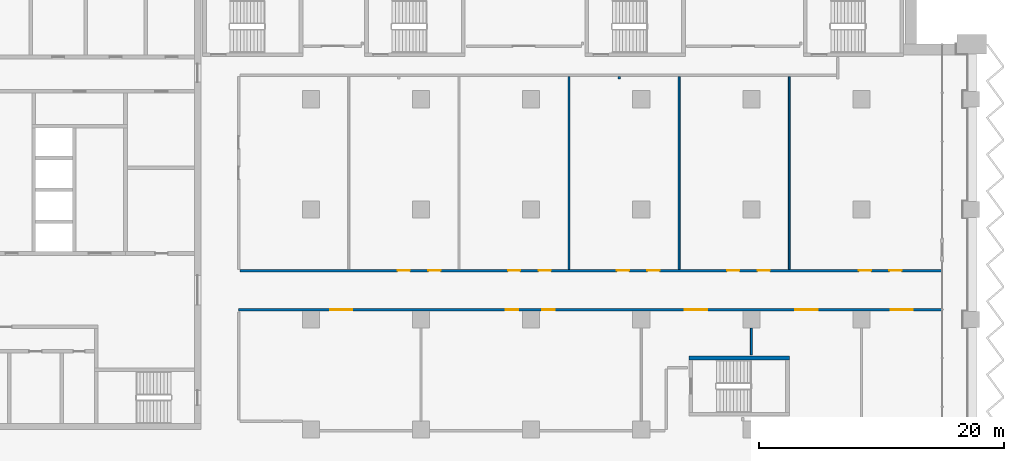
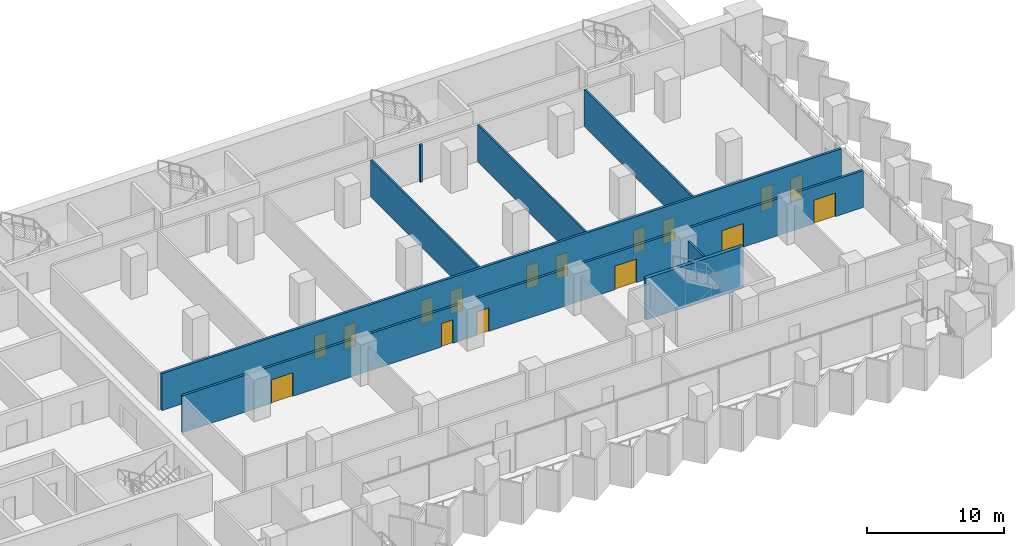
# One storey, part 18 of 29: 16 doors, 8 walls, 16 openings.
"""IFC4 building model written with IfcOpenShell, lengths in metres."""

from ifc_helpers import new_model, si_unit, direction, frame, frame_2d, origin, place, context, subcontext, project, spatial, rectangle, extrude, material, layer, layer_set, type_object, element, fill, save


model = new_model("IFC4")

# Units and contexts
model_context = context("Model", 3, precision=1e-05, world=origin(), true_north=direction((0.0, 1.0)))
body_context = subcontext(model_context, "Body", "Model", "MODEL_VIEW")
ifc_project = project(units=[si_unit("LENGTHUNIT", "METRE"), si_unit("AREAUNIT", "SQUARE_METRE"), si_unit("VOLUMEUNIT", "CUBIC_METRE"), si_unit("PLANEANGLEUNIT", "RADIAN"), si_unit("MASSUNIT", "GRAM", prefix="KILO")], contexts=[model_context])

# Site, building, storey
site_placement = place(None, origin())
site = spatial("IfcSite", under=ifc_project, at=site_placement, CompositionType="ELEMENT")
building_placement = place(site_placement, origin())
building = spatial("IfcBuilding", under=site, at=building_placement, Name="Hunhe Ridgeline Campus", CompositionType="ELEMENT")
storey_placement = place(building_placement, frame((0.0, 0.0, 54.300048828125)))
storey = spatial("IfcBuildingStorey", under=building, at=storey_placement, Name="L12", CompositionType="ELEMENT", Elevation=54.300048828125)

# Wall, openings, doors
ifc_material_1 = material(Name="Gypsum board partition")
ifc_layer_1 = layer(ifc_material_1, 0.199951171875)
ifc_layer_set_1 = layer_set([ifc_layer_1], Name="Corridor partition 200 gypsum board on steel studs")
wall_type_1 = type_object("IfcWallType", Name="Corridor partition 200 gypsum board on steel studs", PredefinedType="PARTITIONING", material=ifc_layer_set_1)
wall_1_placement = place(storey_placement, frame((96.544921875, 72.800048828125, 0.0), z_axis=(0.0, 0.0, 1.0), x_axis=(-1.0, 0.0, 0.0)))
wall_1 = element("IfcWall", 1, at=wall_1_placement, inside=storey, type_object=wall_type_1, Name="F-L12-wall-049", PredefinedType="PARTITIONING", context=body_context, shape_type="SweptSolid", body=[
    extrude(rectangle(XDim=57.44482421875, YDim=0.199951171875, at=frame_2d((28.722412109375, 0.0))), origin(), (0.0, 0.0, 1.0), 3.300048828125),
])
opening_1_placement = place(wall_1_placement, frame((48.14501953125, 0.0, 0.0)))
opening_1 = element("IfcOpeningElement", 2, at=opening_1_placement, cuts=wall_1, Name="Opening RD2-029", PredefinedType="OPENING", context=body_context, shape_type="SweptSolid", body=[
    extrude(rectangle(XDim=1.800048828125, YDim=2.10009765625, at=frame_2d((0.89990234375, 1.050048828125))), frame((0.0, 0.10009765625, 0.0), z_axis=(0.0, -1.0, 0.0), x_axis=(1.0, 0.0, 0.0)), (0.0, 0.0, 1.0), 0.199951171875),
])
opening_2_placement = place(wall_1_placement, frame((34.614013671875, 0.0, 0.0)))
opening_2 = element("IfcOpeningElement", 3, at=opening_2_placement, cuts=wall_1, Name="Opening RD1-030", PredefinedType="OPENING", context=body_context, shape_type="SweptSolid", body=[
    extrude(rectangle(XDim=1.0, YDim=2.10009765625, at=frame_2d((0.5, 1.050048828125))), frame((0.0, 0.10009765625, 0.0), z_axis=(0.0, -1.0, 0.0), x_axis=(1.0, 0.0, 0.0)), (0.0, 0.0, 1.0), 0.199951171875),
])
opening_3_placement = place(wall_1_placement, frame((31.614013671875, 0.0, 0.0)))
opening_3 = element("IfcOpeningElement", 4, at=opening_3_placement, cuts=wall_1, Name="Opening RD1-031", PredefinedType="OPENING", context=body_context, shape_type="SweptSolid", body=[
    extrude(rectangle(XDim=1.0, YDim=2.10009765625, at=frame_2d((0.5, 1.050048828125))), frame((0.0, 0.10009765625, 0.0), z_axis=(0.0, -1.0, 0.0), x_axis=(1.0, 0.0, 0.0)), (0.0, 0.0, 1.0), 0.199951171875),
])
opening_4_placement = place(wall_1_placement, frame((19.168212890625, 0.0, 0.0)))
opening_4 = element("IfcOpeningElement", 5, at=opening_4_placement, cuts=wall_1, Name="Opening RD2-032", PredefinedType="OPENING", context=body_context, shape_type="SweptSolid", body=[
    extrude(rectangle(XDim=1.800048828125, YDim=2.10009765625, at=frame_2d((0.89990234375, 1.050048828125))), frame((0.0, 0.10009765625, 0.0), z_axis=(0.0, -1.0, 0.0), x_axis=(1.0, 0.0, 0.0)), (0.0, 0.0, 1.0), 0.199951171875),
])
opening_5_placement = place(wall_1_placement, frame((10.137451171875, 0.0, 0.0)))
opening_5 = element("IfcOpeningElement", 6, at=opening_5_placement, cuts=wall_1, Name="Opening RD2-033", PredefinedType="OPENING", context=body_context, shape_type="SweptSolid", body=[
    extrude(rectangle(XDim=1.800048828125, YDim=2.10009765625, at=frame_2d((0.89990234375, 1.050048828125))), frame((0.0, 0.10009765625, 0.0), z_axis=(0.0, -1.0, 0.0), x_axis=(1.0, 0.0, 0.0)), (0.0, 0.0, 1.0), 0.199951171875),
])
opening_6_placement = place(wall_1_placement, frame((2.361083984375, 0.0, 0.0)))
opening_6 = element("IfcOpeningElement", 7, at=opening_6_placement, cuts=wall_1, Name="Opening RD2-034", PredefinedType="OPENING", context=body_context, shape_type="SweptSolid", body=[
    extrude(rectangle(XDim=1.800048828125, YDim=2.10009765625, at=frame_2d((0.89990234375, 1.050048828125))), frame((0.0, 0.10009765625, 0.0), z_axis=(0.0, -1.0, 0.0), x_axis=(1.0, 0.0, 0.0)), (0.0, 0.0, 1.0), 0.199951171875),
])
ifc_material_2 = material(Name="Timber door leaf", Category="wood")
door_type_1 = type_object("IfcDoorType", Name="Double fire door 1800x2100 timber FD60", OperationType="DOUBLE_DOOR_SINGLE_SWING", PredefinedType="DOOR", material=ifc_material_2)
door_1_placement = place(opening_1_placement, origin())
door_1 = element("IfcDoor", 8, at=door_1_placement, inside=storey, type_object=door_type_1, Name="F-L12-door-029", OperationType="DOUBLE_DOOR_SINGLE_SWING", OverallHeight=2.10009765625, OverallWidth=1.800048828125, PredefinedType="DOOR", context=body_context, shape_type="SweptSolid", body=[
    extrude(rectangle(XDim=1.800048828125, YDim=2.10009765625, at=frame_2d((0.89990234375, 1.050048828125))), frame((0.0, 0.02490234375, 0.0), z_axis=(0.0, -1.0, 0.0), x_axis=(1.0, 0.0, 0.0)), (0.0, 0.0, 1.0), 0.050048828125),
])
fill(opening_1, door_1)
door_2_placement = place(opening_4_placement, origin())
door_2 = element("IfcDoor", 9, at=door_2_placement, inside=storey, type_object=door_type_1, Name="F-L12-door-032", OperationType="DOUBLE_DOOR_SINGLE_SWING", OverallHeight=2.10009765625, OverallWidth=1.800048828125, PredefinedType="DOOR", context=body_context, shape_type="SweptSolid", body=[
    extrude(rectangle(XDim=1.800048828125, YDim=2.10009765625, at=frame_2d((0.89990234375, 1.050048828125))), frame((0.0, 0.02490234375, 0.0), z_axis=(0.0, -1.0, 0.0), x_axis=(1.0, 0.0, 0.0)), (0.0, 0.0, 1.0), 0.050048828125),
])
fill(opening_4, door_2)
door_3_placement = place(opening_5_placement, origin())
door_3 = element("IfcDoor", 10, at=door_3_placement, inside=storey, type_object=door_type_1, Name="F-L12-door-033", OperationType="DOUBLE_DOOR_SINGLE_SWING", OverallHeight=2.10009765625, OverallWidth=1.800048828125, PredefinedType="DOOR", context=body_context, shape_type="SweptSolid", body=[
    extrude(rectangle(XDim=1.800048828125, YDim=2.10009765625, at=frame_2d((0.89990234375, 1.050048828125))), frame((0.0, 0.02490234375, 0.0), z_axis=(0.0, -1.0, 0.0), x_axis=(1.0, 0.0, 0.0)), (0.0, 0.0, 1.0), 0.050048828125),
])
fill(opening_5, door_3)
door_4_placement = place(opening_6_placement, origin())
door_4 = element("IfcDoor", 11, at=door_4_placement, inside=storey, type_object=door_type_1, Name="F-L12-door-034", OperationType="DOUBLE_DOOR_SINGLE_SWING", OverallHeight=2.10009765625, OverallWidth=1.800048828125, PredefinedType="DOOR", context=body_context, shape_type="SweptSolid", body=[
    extrude(rectangle(XDim=1.800048828125, YDim=2.10009765625, at=frame_2d((0.89990234375, 1.050048828125))), frame((0.0, 0.02490234375, 0.0), z_axis=(0.0, -1.0, 0.0), x_axis=(1.0, 0.0, 0.0)), (0.0, 0.0, 1.0), 0.050048828125),
])
fill(opening_6, door_4)
door_type_2 = type_object("IfcDoorType", Name="Single fire door 1000x2100 timber FD60", OperationType="NOTDEFINED", PredefinedType="DOOR", material=ifc_material_2)
door_5_placement = place(opening_2_placement, frame((1.0, 0.0, 0.0), z_axis=(0.0, 0.0, 1.0), x_axis=(-1.0, 0.0, 0.0)))
door_5 = element("IfcDoor", 12, at=door_5_placement, inside=storey, type_object=door_type_2, Name="F-L12-door-030", OperationType="SINGLE_SWING_LEFT", OverallHeight=2.10009765625, OverallWidth=1.0, PredefinedType="DOOR", context=body_context, shape_type="SweptSolid", body=[
    extrude(rectangle(XDim=1.0, YDim=2.10009765625, at=frame_2d((0.5, 1.050048828125))), frame((0.0, 0.02490234375, 0.0), z_axis=(0.0, -1.0, 0.0), x_axis=(1.0, 0.0, 0.0)), (0.0, 0.0, 1.0), 0.050048828125),
])
fill(opening_2, door_5)
door_6_placement = place(opening_3_placement, frame((1.0, 0.0, 0.0), z_axis=(0.0, 0.0, 1.0), x_axis=(-1.0, 0.0, 0.0)))
door_6 = element("IfcDoor", 13, at=door_6_placement, inside=storey, type_object=door_type_2, Name="F-L12-door-031", OperationType="SINGLE_SWING_RIGHT", OverallHeight=2.10009765625, OverallWidth=1.0, PredefinedType="DOOR", context=body_context, shape_type="SweptSolid", body=[
    extrude(rectangle(XDim=1.0, YDim=2.10009765625, at=frame_2d((0.5, 1.050048828125))), frame((0.0, 0.02490234375, 0.0), z_axis=(0.0, -1.0, 0.0), x_axis=(1.0, 0.0, 0.0)), (0.0, 0.0, 1.0), 0.050048828125),
])
fill(opening_3, door_6)

wall_2_placement = place(storey_placement, frame((39.199951171875, 76.0, 0.0), z_axis=(0.0, 0.0, 1.0), x_axis=(1.0, 0.0, 0.0)))
wall_2 = element("IfcWall", 14, at=wall_2_placement, inside=storey, type_object=wall_type_1, Name="F-L12-wall-050", PredefinedType="PARTITIONING", context=body_context, shape_type="SweptSolid", body=[
    extrude(rectangle(XDim=57.344970703125, YDim=0.199951171875, at=frame_2d((28.67236328125, 0.0))), origin(), (0.0, 0.0, 1.0), 3.300048828125),
])
opening_7_placement = place(wall_2_placement, frame((12.897216796875, 0.0, 0.0)))
opening_7 = element("IfcOpeningElement", 15, at=opening_7_placement, cuts=wall_2, Name="Opening RD1-035", PredefinedType="OPENING", context=body_context, shape_type="SweptSolid", body=[
    extrude(rectangle(XDim=1.0, YDim=2.10009765625, at=frame_2d((0.5, 1.050048828125))), frame((0.0, 0.10009765625, 0.0), z_axis=(0.0, -1.0, 0.0), x_axis=(1.0, 0.0, 0.0)), (0.0, 0.0, 1.0), 0.199951171875),
])
opening_8_placement = place(wall_2_placement, frame((15.397216796875, 0.0, 0.0)))
opening_8 = element("IfcOpeningElement", 16, at=opening_8_placement, cuts=wall_2, Name="Opening RD1-036", PredefinedType="OPENING", context=body_context, shape_type="SweptSolid", body=[
    extrude(rectangle(XDim=1.0, YDim=2.10009765625, at=frame_2d((0.5, 1.050048828125))), frame((0.0, 0.10009765625, 0.0), z_axis=(0.0, -1.0, 0.0), x_axis=(1.0, 0.0, 0.0)), (0.0, 0.0, 1.0), 0.199951171875),
])
opening_9_placement = place(wall_2_placement, frame((21.912109375, 0.0, 0.0)))
opening_9 = element("IfcOpeningElement", 17, at=opening_9_placement, cuts=wall_2, Name="Opening RD1-037", PredefinedType="OPENING", context=body_context, shape_type="SweptSolid", body=[
    extrude(rectangle(XDim=1.0, YDim=2.10009765625, at=frame_2d((0.5, 1.050048828125))), frame((0.0, 0.10009765625, 0.0), z_axis=(0.0, -1.0, 0.0), x_axis=(1.0, 0.0, 0.0)), (0.0, 0.0, 1.0), 0.199951171875),
])
opening_10_placement = place(wall_2_placement, frame((24.412109375, 0.0, 0.0)))
opening_10 = element("IfcOpeningElement", 18, at=opening_10_placement, cuts=wall_2, Name="Opening RD1-038", PredefinedType="OPENING", context=body_context, shape_type="SweptSolid", body=[
    extrude(rectangle(XDim=1.0, YDim=2.10009765625, at=frame_2d((0.5, 1.050048828125))), frame((0.0, 0.10009765625, 0.0), z_axis=(0.0, -1.0, 0.0), x_axis=(1.0, 0.0, 0.0)), (0.0, 0.0, 1.0), 0.199951171875),
])
opening_11_placement = place(wall_2_placement, frame((30.802001953125, 0.0, 0.0)))
opening_11 = element("IfcOpeningElement", 19, at=opening_11_placement, cuts=wall_2, Name="Opening RD1-039", PredefinedType="OPENING", context=body_context, shape_type="SweptSolid", body=[
    extrude(rectangle(XDim=1.0, YDim=2.10009765625, at=frame_2d((0.5, 1.050048828125))), frame((0.0, 0.10009765625, 0.0), z_axis=(0.0, -1.0, 0.0), x_axis=(1.0, 0.0, 0.0)), (0.0, 0.0, 1.0), 0.199951171875),
])
opening_12_placement = place(wall_2_placement, frame((33.302001953125, 0.0, 0.0)))
opening_12 = element("IfcOpeningElement", 20, at=opening_12_placement, cuts=wall_2, Name="Opening RD1-040", PredefinedType="OPENING", context=body_context, shape_type="SweptSolid", body=[
    extrude(rectangle(XDim=1.0, YDim=2.10009765625, at=frame_2d((0.5, 1.050048828125))), frame((0.0, 0.10009765625, 0.0), z_axis=(0.0, -1.0, 0.0), x_axis=(1.0, 0.0, 0.0)), (0.0, 0.0, 1.0), 0.199951171875),
])
opening_13_placement = place(wall_2_placement, frame((39.81689453125, 0.0, 0.0)))
opening_13 = element("IfcOpeningElement", 21, at=opening_13_placement, cuts=wall_2, Name="Opening RD1-041", PredefinedType="OPENING", context=body_context, shape_type="SweptSolid", body=[
    extrude(rectangle(XDim=1.0, YDim=2.10009765625, at=frame_2d((0.5, 1.050048828125))), frame((0.0, 0.10009765625, 0.0), z_axis=(0.0, -1.0, 0.0), x_axis=(1.0, 0.0, 0.0)), (0.0, 0.0, 1.0), 0.199951171875),
])
opening_14_placement = place(wall_2_placement, frame((42.31689453125, 0.0, 0.0)))
opening_14 = element("IfcOpeningElement", 22, at=opening_14_placement, cuts=wall_2, Name="Opening RD1-042", PredefinedType="OPENING", context=body_context, shape_type="SweptSolid", body=[
    extrude(rectangle(XDim=1.0, YDim=2.10009765625, at=frame_2d((0.5, 1.050048828125))), frame((0.0, 0.10009765625, 0.0), z_axis=(0.0, -1.0, 0.0), x_axis=(1.0, 0.0, 0.0)), (0.0, 0.0, 1.0), 0.199951171875),
])
opening_15_placement = place(wall_2_placement, frame((50.584716796875, 0.0, 0.0)))
opening_15 = element("IfcOpeningElement", 23, at=opening_15_placement, cuts=wall_2, Name="Opening RD1-043", PredefinedType="OPENING", context=body_context, shape_type="SweptSolid", body=[
    extrude(rectangle(XDim=1.0, YDim=2.10009765625, at=frame_2d((0.5, 1.050048828125))), frame((0.0, 0.10009765625, 0.0), z_axis=(0.0, -1.0, 0.0), x_axis=(1.0, 0.0, 0.0)), (0.0, 0.0, 1.0), 0.199951171875),
])
opening_16_placement = place(wall_2_placement, frame((53.084716796875, 0.0, 0.0)))
opening_16 = element("IfcOpeningElement", 24, at=opening_16_placement, cuts=wall_2, Name="Opening RD1-044", PredefinedType="OPENING", context=body_context, shape_type="SweptSolid", body=[
    extrude(rectangle(XDim=1.0, YDim=2.10009765625, at=frame_2d((0.5, 1.050048828125))), frame((0.0, 0.10009765625, 0.0), z_axis=(0.0, -1.0, 0.0), x_axis=(1.0, 0.0, 0.0)), (0.0, 0.0, 1.0), 0.199951171875),
])
door_7_placement = place(opening_7_placement, frame((1.0, 0.0, 0.0), z_axis=(0.0, 0.0, 1.0), x_axis=(-1.0, 0.0, 0.0)))
door_7 = element("IfcDoor", 25, at=door_7_placement, inside=storey, type_object=door_type_2, Name="F-L12-door-035", OperationType="SINGLE_SWING_LEFT", OverallHeight=2.10009765625, OverallWidth=1.0, PredefinedType="DOOR", context=body_context, shape_type="SweptSolid", body=[
    extrude(rectangle(XDim=1.0, YDim=2.10009765625, at=frame_2d((0.5, 1.050048828125))), frame((0.0, 0.02490234375, 0.0), z_axis=(0.0, -1.0, 0.0), x_axis=(1.0, 0.0, 0.0)), (0.0, 0.0, 1.0), 0.050048828125),
])
fill(opening_7, door_7)
door_8_placement = place(opening_8_placement, frame((1.0, 0.0, 0.0), z_axis=(0.0, 0.0, 1.0), x_axis=(-1.0, 0.0, 0.0)))
door_8 = element("IfcDoor", 26, at=door_8_placement, inside=storey, type_object=door_type_2, Name="F-L12-door-036", OperationType="SINGLE_SWING_LEFT", OverallHeight=2.10009765625, OverallWidth=1.0, PredefinedType="DOOR", context=body_context, shape_type="SweptSolid", body=[
    extrude(rectangle(XDim=1.0, YDim=2.10009765625, at=frame_2d((0.5, 1.050048828125))), frame((0.0, 0.02490234375, 0.0), z_axis=(0.0, -1.0, 0.0), x_axis=(1.0, 0.0, 0.0)), (0.0, 0.0, 1.0), 0.050048828125),
])
fill(opening_8, door_8)
door_9_placement = place(opening_9_placement, frame((1.0, 0.0, 0.0), z_axis=(0.0, 0.0, 1.0), x_axis=(-1.0, 0.0, 0.0)))
door_9 = element("IfcDoor", 27, at=door_9_placement, inside=storey, type_object=door_type_2, Name="F-L12-door-037", OperationType="SINGLE_SWING_RIGHT", OverallHeight=2.10009765625, OverallWidth=1.0, PredefinedType="DOOR", context=body_context, shape_type="SweptSolid", body=[
    extrude(rectangle(XDim=1.0, YDim=2.10009765625, at=frame_2d((0.5, 1.050048828125))), frame((0.0, 0.02490234375, 0.0), z_axis=(0.0, -1.0, 0.0), x_axis=(1.0, 0.0, 0.0)), (0.0, 0.0, 1.0), 0.050048828125),
])
fill(opening_9, door_9)
door_10_placement = place(opening_10_placement, frame((1.0, 0.0, 0.0), z_axis=(0.0, 0.0, 1.0), x_axis=(-1.0, 0.0, 0.0)))
door_10 = element("IfcDoor", 28, at=door_10_placement, inside=storey, type_object=door_type_2, Name="F-L12-door-038", OperationType="SINGLE_SWING_LEFT", OverallHeight=2.10009765625, OverallWidth=1.0, PredefinedType="DOOR", context=body_context, shape_type="SweptSolid", body=[
    extrude(rectangle(XDim=1.0, YDim=2.10009765625, at=frame_2d((0.5, 1.050048828125))), frame((0.0, 0.02490234375, 0.0), z_axis=(0.0, -1.0, 0.0), x_axis=(1.0, 0.0, 0.0)), (0.0, 0.0, 1.0), 0.050048828125),
])
fill(opening_10, door_10)
door_11_placement = place(opening_11_placement, frame((1.0, 0.0, 0.0), z_axis=(0.0, 0.0, 1.0), x_axis=(-1.0, 0.0, 0.0)))
door_11 = element("IfcDoor", 29, at=door_11_placement, inside=storey, type_object=door_type_2, Name="F-L12-door-039", OperationType="SINGLE_SWING_LEFT", OverallHeight=2.10009765625, OverallWidth=1.0, PredefinedType="DOOR", context=body_context, shape_type="SweptSolid", body=[
    extrude(rectangle(XDim=1.0, YDim=2.10009765625, at=frame_2d((0.5, 1.050048828125))), frame((0.0, 0.02490234375, 0.0), z_axis=(0.0, -1.0, 0.0), x_axis=(1.0, 0.0, 0.0)), (0.0, 0.0, 1.0), 0.050048828125),
])
fill(opening_11, door_11)
door_12_placement = place(opening_12_placement, frame((1.0, 0.0, 0.0), z_axis=(0.0, 0.0, 1.0), x_axis=(-1.0, 0.0, 0.0)))
door_12 = element("IfcDoor", 30, at=door_12_placement, inside=storey, type_object=door_type_2, Name="F-L12-door-040", OperationType="SINGLE_SWING_LEFT", OverallHeight=2.10009765625, OverallWidth=1.0, PredefinedType="DOOR", context=body_context, shape_type="SweptSolid", body=[
    extrude(rectangle(XDim=1.0, YDim=2.10009765625, at=frame_2d((0.5, 1.050048828125))), frame((0.0, 0.02490234375, 0.0), z_axis=(0.0, -1.0, 0.0), x_axis=(1.0, 0.0, 0.0)), (0.0, 0.0, 1.0), 0.050048828125),
])
fill(opening_12, door_12)
door_13_placement = place(opening_13_placement, frame((1.0, 0.0, 0.0), z_axis=(0.0, 0.0, 1.0), x_axis=(-1.0, 0.0, 0.0)))
door_13 = element("IfcDoor", 31, at=door_13_placement, inside=storey, type_object=door_type_2, Name="F-L12-door-041", OperationType="SINGLE_SWING_LEFT", OverallHeight=2.10009765625, OverallWidth=1.0, PredefinedType="DOOR", context=body_context, shape_type="SweptSolid", body=[
    extrude(rectangle(XDim=1.0, YDim=2.10009765625, at=frame_2d((0.5, 1.050048828125))), frame((0.0, 0.02490234375, 0.0), z_axis=(0.0, -1.0, 0.0), x_axis=(1.0, 0.0, 0.0)), (0.0, 0.0, 1.0), 0.050048828125),
])
fill(opening_13, door_13)
door_14_placement = place(opening_14_placement, frame((1.0, 0.0, 0.0), z_axis=(0.0, 0.0, 1.0), x_axis=(-1.0, 0.0, 0.0)))
door_14 = element("IfcDoor", 32, at=door_14_placement, inside=storey, type_object=door_type_2, Name="F-L12-door-042", OperationType="SINGLE_SWING_LEFT", OverallHeight=2.10009765625, OverallWidth=1.0, PredefinedType="DOOR", context=body_context, shape_type="SweptSolid", body=[
    extrude(rectangle(XDim=1.0, YDim=2.10009765625, at=frame_2d((0.5, 1.050048828125))), frame((0.0, 0.02490234375, 0.0), z_axis=(0.0, -1.0, 0.0), x_axis=(1.0, 0.0, 0.0)), (0.0, 0.0, 1.0), 0.050048828125),
])
fill(opening_14, door_14)
door_15_placement = place(opening_15_placement, frame((1.0, 0.0, 0.0), z_axis=(0.0, 0.0, 1.0), x_axis=(-1.0, 0.0, 0.0)))
door_15 = element("IfcDoor", 33, at=door_15_placement, inside=storey, type_object=door_type_2, Name="F-L12-door-043", OperationType="SINGLE_SWING_LEFT", OverallHeight=2.10009765625, OverallWidth=1.0, PredefinedType="DOOR", context=body_context, shape_type="SweptSolid", body=[
    extrude(rectangle(XDim=1.0, YDim=2.10009765625, at=frame_2d((0.5, 1.050048828125))), frame((0.0, 0.02490234375, 0.0), z_axis=(0.0, -1.0, 0.0), x_axis=(1.0, 0.0, 0.0)), (0.0, 0.0, 1.0), 0.050048828125),
])
fill(opening_15, door_15)
door_16_placement = place(opening_16_placement, frame((1.0, 0.0, 0.0), z_axis=(0.0, 0.0, 1.0), x_axis=(-1.0, 0.0, 0.0)))
door_16 = element("IfcDoor", 34, at=door_16_placement, inside=storey, type_object=door_type_2, Name="F-L12-door-044", OperationType="SINGLE_SWING_LEFT", OverallHeight=2.10009765625, OverallWidth=1.0, PredefinedType="DOOR", context=body_context, shape_type="SweptSolid", body=[
    extrude(rectangle(XDim=1.0, YDim=2.10009765625, at=frame_2d((0.5, 1.050048828125))), frame((0.0, 0.02490234375, 0.0), z_axis=(0.0, -1.0, 0.0), x_axis=(1.0, 0.0, 0.0)), (0.0, 0.0, 1.0), 0.050048828125),
])
fill(opening_16, door_16)

# Walls
wall_3_placement = place(storey_placement, frame((70.199951171875, 91.85009765625, 0.0), z_axis=(0.0, 0.0, 1.0), x_axis=(0.0, -1.0, 0.0)))
element("IfcWall", 35, at=wall_3_placement, inside=storey, type_object=wall_type_1, Name="F-L12-wall-081", PredefinedType="PARTITIONING", context=body_context, shape_type="SweptSolid", body=[
    extrude(rectangle(XDim=0.2001953125, YDim=0.199951171875, at=frame_2d((0.10009765625, 0.0))), origin(), (0.0, 0.0, 1.0), 3.300048828125),
])
ifc_layer_2 = layer(ifc_material_1, 0.14990234375)
ifc_layer_set_2 = layer_set([ifc_layer_2], Name="Room partition 150 gypsum board on steel studs")
wall_type_2 = type_object("IfcWallType", Name="Room partition 150 gypsum board on steel studs", PredefinedType="PARTITIONING", material=ifc_layer_set_2)
for number, where, z_axis, x_axis, name in (
    (36, (66.10009765625, 91.85009765625, 0.0), (0.0, 0.0, 1.0), (0.0, -1.0, 0.0), "F-L12-wall-079"),
    (37, (75.10009765625, 91.85009765625, 0.0), (0.0, 0.0, 1.0), (0.0, -1.0, 0.0), "F-L12-wall-085"),
):
    element("IfcWall", number, at=place(storey_placement, frame(where, z_axis=z_axis, x_axis=x_axis)), inside=storey, type_object=wall_type_2, Name=name, PredefinedType="PARTITIONING", context=body_context, shape_type="SweptSolid", body=[
        extrude(rectangle(XDim=15.75, YDim=0.14990234375, at=frame_2d((7.875, 0.0))), origin(), (0.0, 0.0, 1.0), 3.300048828125),
    ])
wall_4_placement = place(storey_placement, frame((81.0, 71.300048828125, 0.0), z_axis=(0.0, 0.0, 1.0), x_axis=(0.0, -1.0, 0.0)))
element("IfcWall", 38, at=wall_4_placement, inside=storey, type_object=wall_type_2, Name="F-L12-wall-087", PredefinedType="PARTITIONING", context=body_context, shape_type="SweptSolid", body=[
    extrude(rectangle(XDim=2.196044921875, YDim=0.14990234375, at=frame_2d((1.09814453125, 0.0))), origin(), (0.0, 0.0, 1.0), 3.300048828125),
])
wall_5_placement = place(storey_placement, frame((84.10009765625, 91.85009765625, 0.0), z_axis=(0.0, 0.0, 1.0), x_axis=(0.0, -1.0, 0.0)))
element("IfcWall", 39, at=wall_5_placement, inside=storey, type_object=wall_type_2, Name="F-L12-wall-088", PredefinedType="PARTITIONING", context=body_context, shape_type="SweptSolid", body=[
    extrude(rectangle(XDim=15.75, YDim=0.14990234375, at=frame_2d((7.875, 0.0))), origin(), (0.0, 0.0, 1.0), 3.300048828125),
])
ifc_material_3 = material(Name="Concrete C80", Category="concrete")
ifc_layer_3 = layer(ifc_material_3, 0.300048828125)
ifc_layer_set_3 = layer_set([ifc_layer_3], Name="Stair wall 300 reinforced concrete C80")
wall_type_3 = type_object("IfcWallType", Name="Stair wall 300 reinforced concrete C80", PredefinedType="SOLIDWALL", material=ifc_layer_set_3)
wall_6_placement = place(storey_placement, frame((75.89990234375, 68.85009765625, -0.400146484375), z_axis=(0.0, 0.0, 1.0), x_axis=(1.0, 0.0, 0.0)))
element("IfcWall", 40, at=wall_6_placement, inside=storey, type_object=wall_type_3, Name="L12 core wall 10", PredefinedType="SOLIDWALL", context=body_context, shape_type="SweptSolid", body=[
    extrude(rectangle(XDim=8.2001953125, YDim=0.300048828125, at=frame_2d((4.10009765625, 0.0))), origin(), (0.0, 0.0, 1.0), 3.7001953125),
])

save(model, "model.ifc")
